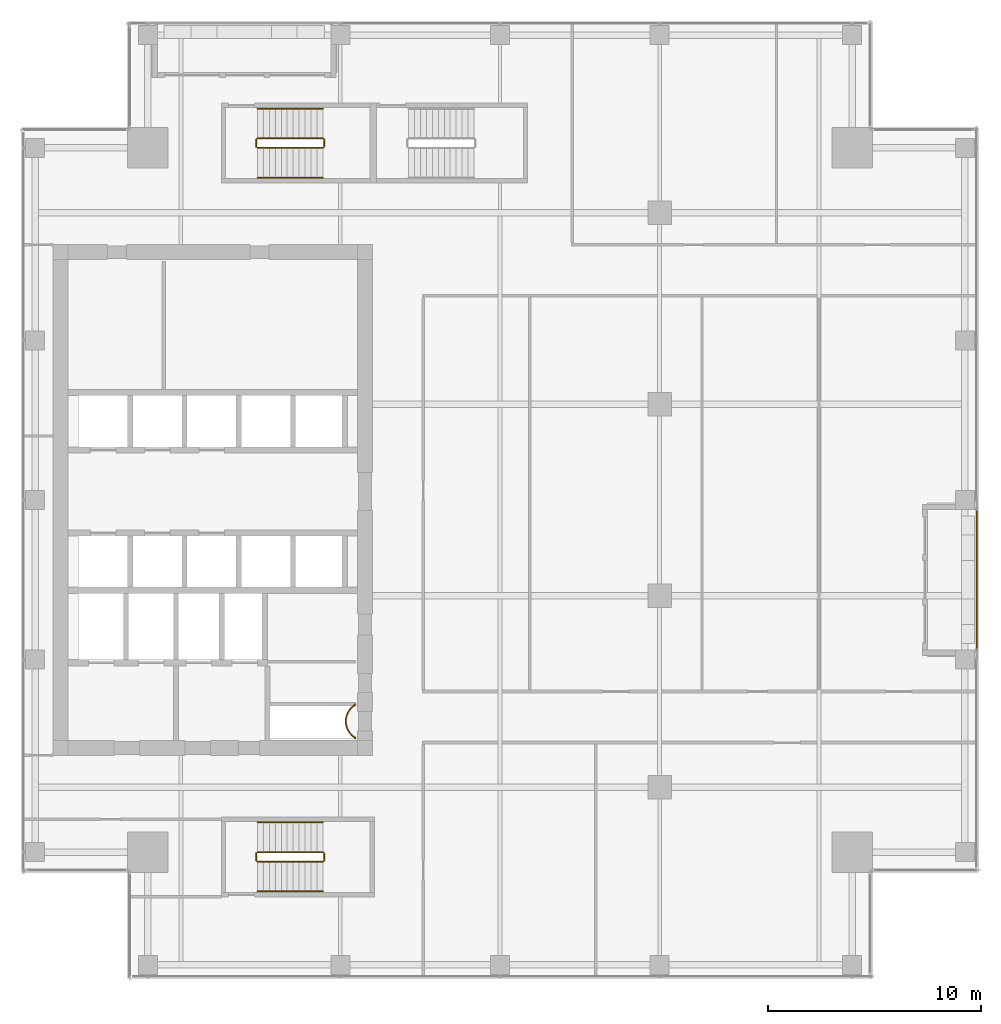
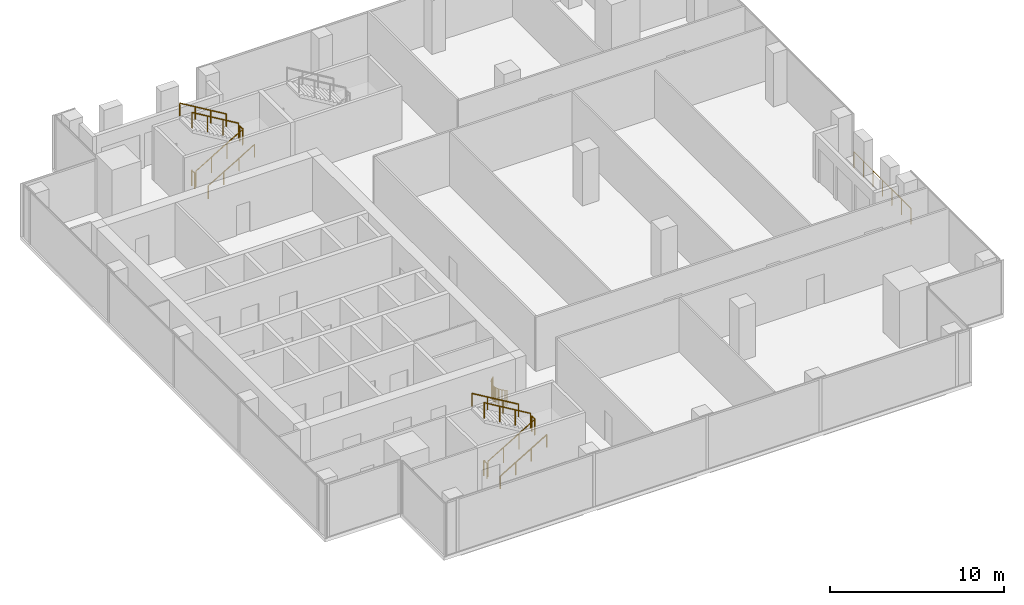
# One storey, part 33 of 35: 14 railings.
"""IFC4 building model written with IfcOpenShell, lengths in metres."""

from ifc_helpers import new_model, si_unit, direction, frame, origin, origin_2d, place, context, subcontext, project, spatial, circle, extrude, source, transform, mapped, material, type_object, element, save


model = new_model("IFC4")

# Units and contexts
model_context = context("Model", 3, precision=1e-05, world=origin(), true_north=direction((0.0, 1.0)))
body_context = subcontext(model_context, "Body", "Model", "MODEL_VIEW")
ifc_project = project(units=[si_unit("LENGTHUNIT", "METRE"), si_unit("AREAUNIT", "SQUARE_METRE"), si_unit("VOLUMEUNIT", "CUBIC_METRE"), si_unit("PLANEANGLEUNIT", "RADIAN"), si_unit("MASSUNIT", "GRAM", prefix="KILO")], contexts=[model_context])

# Site, building, storey
site_placement = place(None, origin())
site = spatial("IfcSite", under=ifc_project, at=site_placement, CompositionType="ELEMENT")
building_placement = place(site_placement, origin())
building = spatial("IfcBuilding", under=site, at=building_placement, Name="Khomas Fold Tower", CompositionType="ELEMENT")
storey_placement = place(building_placement, frame((0.0, 0.0, 262.199951171875)))
storey = spatial("IfcBuildingStorey", under=building, at=storey_placement, Name="L59", CompositionType="ELEMENT", Elevation=262.199951171875)

# Railings
ifc_material_1 = material(Name="Powder-coated steel", Category="steel")
railing_type_1 = type_object("IfcRailingType", Name="Balcony guard", PredefinedType="GUARDRAIL", material=ifc_material_1)
shared_shape_1 = source(origin(), body_context, "Body", "SweptSolid", [
    extrude(circle(Radius=0.02490234375, at=origin_2d()), frame((0.0, 0.0, 1.125), z_axis=(0.0, 1.0, 0.0), x_axis=(-1.0, 0.0, 0.0)), (0.0, 0.0, 1.0), 6.5400390625),
    extrude(circle(Radius=0.02001953125, at=origin_2d()), origin(), (0.0, 0.0, 1.0), 1.099853515625),
    extrude(circle(Radius=0.02001953125, at=origin_2d()), frame((0.0, 1.090087890625, 0.0)), (0.0, 0.0, 1.0), 1.099853515625),
    extrude(circle(Radius=0.02001953125, at=origin_2d()), frame((0.0, 2.179931640625, 0.0)), (0.0, 0.0, 1.0), 1.099853515625),
    extrude(circle(Radius=0.02001953125, at=origin_2d()), frame((0.0, 3.27001953125, 0.0)), (0.0, 0.0, 1.0), 1.099853515625),
    extrude(circle(Radius=0.02001953125, at=origin_2d()), frame((0.0, 4.360107421875, 0.0)), (0.0, 0.0, 1.0), 1.099853515625),
    extrude(circle(Radius=0.02001953125, at=origin_2d()), frame((0.0, 5.449951171875, 0.0)), (0.0, 0.0, 1.0), 1.099853515625),
    extrude(circle(Radius=0.02001953125, at=origin_2d()), frame((0.0, 6.5400390625, 0.0)), (0.0, 0.0, 1.0), 1.099853515625),
])
railing_1_placement = place(storey_placement, frame((49.39990234375, 19.97998046875, -0.044921875)))
element("IfcRailing", 1, at=railing_1_placement, inside=storey, type_object=railing_type_1, Name="Balcony guard BAL-L59-E2", PredefinedType="GUARDRAIL", context=body_context, shape_type="MappedRepresentation", body=[
    mapped(shared_shape_1, transform((0.0, 0.0, 0.0))),
])
ifc_material_2 = material(Name="Steel balustrade", Category="steel")
railing_type_2 = type_object("IfcRailingType", Name="Stair guard", PredefinedType="GUARDRAIL", material=ifc_material_2)
shared_shape_2 = source(origin(), body_context, "Body", "SweptSolid", [
    extrude(circle(Radius=0.02392578125, at=origin_2d()), frame((0.0, 0.0, 1.076171875), z_axis=(0.0, 1.0, 0.0), x_axis=(-1.0, 0.0, 0.0)), (0.0, 0.0, 1.0), 0.349853515625),
    extrude(circle(Radius=0.02099609375, at=origin_2d()), origin(), (0.0, 0.0, 1.0), 1.052001953125),
    extrude(circle(Radius=0.02099609375, at=origin_2d()), frame((0.0, 0.349853515625, 0.0)), (0.0, 0.0, 1.0), 1.052001953125),
])
for number, where, name in (
    (2, (18.72998046875, 43.60009765625, 2.0), "L59 ST1 stair guard 2"),
    (3, (15.550048828125, 43.60009765625, 0.0), "L59 ST1 stair guard 4"),
    (4, (18.72998046875, 10.050048828125, 2.0), "L59 ST2 stair guard 2"),
    (5, (15.550048828125, 10.050048828125, 0.0), "L59 ST2 stair guard 4"),
):
    element("IfcRailing", number, at=place(storey_placement, frame(where)), inside=storey, type_object=railing_type_2, Name=name, PredefinedType="GUARDRAIL", context=body_context, shape_type="MappedRepresentation", body=[
        mapped(shared_shape_2, transform((0.0, 0.0, 0.0))),
    ])
shared_shape_3 = source(origin(), body_context, "Body", "SweptSolid", [
    extrude(circle(Radius=0.02392578125, at=origin_2d()), frame((0.0, 0.0, 1.076171875), z_axis=(0.859290745958, 0.0, 0.51148745235), x_axis=(0.0, 1.0, 0.0)), (0.0, 0.0, 1.0), 3.584228515625),
    extrude(circle(Radius=0.02099609375, at=origin_2d()), origin(), (0.0, 0.0, 1.0), 1.052001953125),
    extrude(circle(Radius=0.02099609375, at=origin_2d()), frame((1.026611328125, 0.0, 0.611083984375)), (0.0, 0.0, 1.0), 1.052001953125),
    extrude(circle(Radius=0.02099609375, at=origin_2d()), frame((2.05322265625, 0.0, 1.22216796875)), (0.0, 0.0, 1.0), 1.052001953125),
    extrude(circle(Radius=0.02099609375, at=origin_2d()), frame((3.079833984375, 0.0, 1.833251953125)), (0.0, 0.0, 1.0), 1.052001953125),
])
for number, where, name in (
    (6, (15.60009765625, 43.550048828125, 0.166748046875), "L59 ST1 stair guard 1"),
    (7, (15.60009765625, 10.0, 0.166748046875), "L59 ST2 stair guard 1"),
):
    element("IfcRailing", number, at=place(storey_placement, frame(where)), inside=storey, type_object=railing_type_2, Name=name, PredefinedType="GUARDRAIL", context=body_context, shape_type="MappedRepresentation", body=[
        mapped(shared_shape_3, transform((0.0, 0.0, 0.0))),
    ])
shared_shape_4 = source(origin(), body_context, "Body", "SweptSolid", [
    extrude(circle(Radius=0.02392578125, at=origin_2d()), frame((0.0, 0.0, 1.076171875), z_axis=(-0.859290745958, 0.0, 0.51148745235), x_axis=(0.0, -1.0, 0.0)), (0.0, 0.0, 1.0), 3.584228515625),
    extrude(circle(Radius=0.02099609375, at=origin_2d()), origin(), (0.0, 0.0, 1.0), 1.052001953125),
    extrude(circle(Radius=0.02099609375, at=origin_2d()), frame((-1.026611328125, 0.0, 0.611083984375)), (0.0, 0.0, 1.0), 1.052001953125),
    extrude(circle(Radius=0.02099609375, at=origin_2d()), frame((-2.05322265625, 0.0, 1.22216796875)), (0.0, 0.0, 1.0), 1.052001953125),
    extrude(circle(Radius=0.02099609375, at=origin_2d()), frame((-3.079833984375, 0.0, 1.833251953125)), (0.0, 0.0, 1.0), 1.052001953125),
])
for number, where, name in (
    (8, (18.679931640625, 44.0, 2.166748046875), "L59 ST1 stair guard 3"),
    (9, (18.679931640625, 10.449951171875, 2.166748046875), "L59 ST2 stair guard 3"),
):
    element("IfcRailing", number, at=place(storey_placement, frame(where)), inside=storey, type_object=railing_type_2, Name=name, PredefinedType="GUARDRAIL", context=body_context, shape_type="MappedRepresentation", body=[
        mapped(shared_shape_4, transform((0.0, 0.0, 0.0))),
    ])
ifc_material_3 = material(Name="Steel handrail", Category="steel")
railing_type_3 = type_object("IfcRailingType", Name="Stair handrail", PredefinedType="HANDRAIL", material=ifc_material_3)
shared_shape_5 = source(origin(), body_context, "Body", "SweptSolid", [
    extrude(circle(Radius=0.02392578125, at=origin_2d()), frame((0.0, 0.0, 0.8759765625), z_axis=(0.859290745958, 0.0, 0.51148745235), x_axis=(0.0, 1.0, 0.0)), (0.0, 0.0, 1.0), 3.584228515625),
    extrude(circle(Radius=0.02099609375, at=origin_2d()), origin(), (0.0, 0.0, 1.0), 0.851806640625),
    extrude(circle(Radius=0.02099609375, at=origin_2d()), frame((1.026611328125, 0.0, 0.611083984375)), (0.0, 0.0, 1.0), 0.851806640625),
    extrude(circle(Radius=0.02099609375, at=origin_2d()), frame((2.05322265625, 0.0, 1.22216796875)), (0.0, 0.0, 1.0), 0.851806640625),
    extrude(circle(Radius=0.02099609375, at=origin_2d()), frame((3.079833984375, 0.0, 1.833251953125)), (0.0, 0.0, 1.0), 0.851806640625),
])
for number, where, name in (
    (10, (15.60009765625, 42.14990234375, 0.166748046875), "L59 ST1 stair handrail 1"),
    (11, (15.60009765625, 8.60009765625, 0.166748046875), "L59 ST2 stair handrail 1"),
):
    element("IfcRailing", number, at=place(storey_placement, frame(where)), inside=storey, type_object=railing_type_3, Name=name, PredefinedType="HANDRAIL", context=body_context, shape_type="MappedRepresentation", body=[
        mapped(shared_shape_5, transform((0.0, 0.0, 0.0))),
    ])
shared_shape_6 = source(origin(), body_context, "Body", "SweptSolid", [
    extrude(circle(Radius=0.02392578125, at=origin_2d()), frame((0.0, 0.0, 0.8759765625), z_axis=(-0.859290745958, 0.0, 0.51148745235), x_axis=(0.0, -1.0, 0.0)), (0.0, 0.0, 1.0), 3.584228515625),
    extrude(circle(Radius=0.02099609375, at=origin_2d()), origin(), (0.0, 0.0, 1.0), 0.851806640625),
    extrude(circle(Radius=0.02099609375, at=origin_2d()), frame((-1.026611328125, 0.0, 0.611083984375)), (0.0, 0.0, 1.0), 0.851806640625),
    extrude(circle(Radius=0.02099609375, at=origin_2d()), frame((-2.05322265625, 0.0, 1.22216796875)), (0.0, 0.0, 1.0), 0.851806640625),
    extrude(circle(Radius=0.02099609375, at=origin_2d()), frame((-3.079833984375, 0.0, 1.833251953125)), (0.0, 0.0, 1.0), 0.851806640625),
])
for number, where, name in (
    (12, (18.679931640625, 45.39990234375, 2.166748046875), "L59 ST1 stair handrail 2"),
    (13, (18.679931640625, 11.85009765625, 2.166748046875), "L59 ST2 stair handrail 2"),
):
    element("IfcRailing", number, at=place(storey_placement, frame(where)), inside=storey, type_object=railing_type_3, Name=name, PredefinedType="HANDRAIL", context=body_context, shape_type="MappedRepresentation", body=[
        mapped(shared_shape_6, transform((0.0, 0.0, 0.0))),
    ])
ifc_material_4 = material(Name="Steel balustrade", Category="steel")
railing_type_4 = type_object("IfcRailingType", Name="Shaft guard", PredefinedType="GUARDRAIL", material=ifc_material_4)
shared_shape_7 = source(origin(), body_context, "Body", "SweptSolid", [
    extrude(circle(Radius=0.02490234375, at=origin_2d()), frame((0.0, 0.0, 1.0751953125), z_axis=(1.0, 0.0, 0.0), x_axis=(0.0, 1.0, 0.0)), (0.0, 0.0, 1.0), 0.02197265625),
    extrude(circle(Radius=0.02490234375, at=origin_2d()), frame((0.02197265625, 0.0, 1.0751953125), z_axis=(0.0, -1.0, 0.0), x_axis=(1.0, 0.0, 0.0)), (0.0, 0.0, 1.0), 0.021484375),
    extrude(circle(Radius=0.02490234375, at=origin_2d()), frame((0.02197265625, -0.021484375, 1.0751953125), z_axis=(-0.857492925713, -0.514495755428, 0.0), x_axis=(0.514495755428, -0.857492925713, 0.0)), (0.0, 0.0, 1.0), 0.058349609375),
    extrude(circle(Radius=0.02490234375, at=origin_2d()), frame((-0.028076171875, -0.051513671875, 1.0751953125), z_axis=(-0.801986734315, -0.597341843489, 0.0), x_axis=(0.597341843489, -0.801986734315, 0.0)), (0.0, 0.0, 1.0), 0.08837890625),
    extrude(circle(Radius=0.02490234375, at=origin_2d()), frame((-0.098876953125, -0.104248046875, 1.0751953125), z_axis=(-0.740814996175, -0.671709119666, 0.0), x_axis=(0.671709119666, -0.740814996175, 0.0)), (0.0, 0.0, 1.0), 0.08837890625),
    extrude(circle(Radius=0.02490234375, at=origin_2d()), frame((-0.164306640625, -0.16357421875, 1.0751953125), z_axis=(-0.671709119666, -0.740814996175, 0.0), x_axis=(0.740814996175, -0.671709119666, 0.0)), (0.0, 0.0, 1.0), 0.08837890625),
    extrude(circle(Radius=0.02490234375, at=origin_2d()), frame((-0.2236328125, -0.22900390625, 1.0751953125), z_axis=(-0.597341843489, -0.801986734315, 0.0), x_axis=(0.801986734315, -0.597341843489, 0.0)), (0.0, 0.0, 1.0), 0.08837890625),
    extrude(circle(Radius=0.02490234375, at=origin_2d()), frame((-0.2763671875, -0.2998046875, 1.0751953125), z_axis=(-0.514495755428, -0.857492925713, 0.0), x_axis=(0.857492925713, -0.514495755428, 0.0)), (0.0, 0.0, 1.0), 0.08837890625),
    extrude(circle(Radius=0.02490234375, at=origin_2d()), frame((-0.32177734375, -0.37548828125, 1.0751953125), z_axis=(-0.424999439989, -0.905193612444, 0.0), x_axis=(0.905193612444, -0.424999439989, 0.0)), (0.0, 0.0, 1.0), 0.08837890625),
    extrude(circle(Radius=0.02490234375, at=origin_2d()), frame((-0.359375, -0.45556640625, 1.0751953125), z_axis=(-0.337738989679, -0.941239807302, 0.0), x_axis=(0.941239807302, -0.337738989679, 0.0)), (0.0, 0.0, 1.0), 0.088134765625),
    extrude(circle(Radius=0.02490234375, at=origin_2d()), frame((-0.38916015625, -0.53857421875, 1.0751953125), z_axis=(-0.243185799972, -0.969979724887, 0.0), x_axis=(0.969979724887, -0.243185799972, 0.0)), (0.0, 0.0, 1.0), 0.08837890625),
    extrude(circle(Radius=0.02490234375, at=origin_2d()), frame((-0.41064453125, -0.624267578125, 1.0751953125), z_axis=(-0.146448518259, -0.989218293148, 0.0), x_axis=(0.989218293148, -0.146448518259, 0.0)), (0.0, 0.0, 1.0), 0.08837890625),
    extrude(circle(Radius=0.02490234375, at=origin_2d()), frame((-0.423583984375, -0.711669921875, 1.0751953125), z_axis=(-0.049799629132, -0.998759228712, 0.0), x_axis=(0.998759228712, -0.049799629132, 0.0)), (0.0, 0.0, 1.0), 0.088134765625),
    extrude(circle(Radius=0.02490234375, at=origin_2d()), frame((-0.427978515625, -0.7998046875, 1.0751953125), z_axis=(0.049662400856, -0.998766061669, 0.0), x_axis=(0.998766061669, 0.049662400856, 0.0)), (0.0, 0.0, 1.0), 0.08837890625),
    extrude(circle(Radius=0.02490234375, at=origin_2d()), frame((-0.423583984375, -0.88818359375, 1.0751953125), z_axis=(0.146448518259, -0.989218293148, 0.0), x_axis=(0.989218293148, 0.146448518259, 0.0)), (0.0, 0.0, 1.0), 0.08837890625),
    extrude(circle(Radius=0.02490234375, at=origin_2d()), frame((-0.41064453125, -0.9755859375, 1.0751953125), z_axis=(0.243185799972, -0.969979724887, 0.0), x_axis=(0.969979724887, 0.243185799972, 0.0)), (0.0, 0.0, 1.0), 0.08837890625),
    extrude(circle(Radius=0.02490234375, at=origin_2d()), frame((-0.38916015625, -1.061279296875, 1.0751953125), z_axis=(0.337738989679, -0.941239807302, 0.0), x_axis=(0.941239807302, 0.337738989679, 0.0)), (0.0, 0.0, 1.0), 0.088134765625),
    extrude(circle(Radius=0.02490234375, at=origin_2d()), frame((-0.359375, -1.144287109375, 1.0751953125), z_axis=(0.426063493689, -0.904693262573, 0.0), x_axis=(0.904693262573, 0.426063493689, 0.0)), (0.0, 0.0, 1.0), 0.088134765625),
    extrude(circle(Radius=0.02490234375, at=origin_2d()), frame((-0.32177734375, -1.22412109375, 1.0751953125), z_axis=(0.514495755428, -0.857492925713, 0.0), x_axis=(0.857492925713, 0.514495755428, 0.0)), (0.0, 0.0, 1.0), 0.08837890625),
    extrude(circle(Radius=0.02490234375, at=origin_2d()), frame((-0.2763671875, -1.2998046875, 1.0751953125), z_axis=(0.596019138224, -0.802970227885, 0.0), x_axis=(0.802970227885, 0.596019138224, 0.0)), (0.0, 0.0, 1.0), 0.08837890625),
    extrude(circle(Radius=0.02490234375, at=origin_2d()), frame((-0.2236328125, -1.370849609375, 1.0751953125), z_axis=(0.671709119666, -0.740814996175, 0.0), x_axis=(0.740814996175, 0.671709119666, 0.0)), (0.0, 0.0, 1.0), 0.08837890625),
    extrude(circle(Radius=0.02490234375, at=origin_2d()), frame((-0.164306640625, -1.436279296875, 1.0751953125), z_axis=(0.740814996175, -0.671709119666, 0.0), x_axis=(0.671709119666, 0.740814996175, 0.0)), (0.0, 0.0, 1.0), 0.08837890625),
    extrude(circle(Radius=0.02490234375, at=origin_2d()), frame((-0.098876953125, -1.49560546875, 1.0751953125), z_axis=(0.803311771616, -0.595558727233, 0.0), x_axis=(0.595558727233, 0.803311771616, 0.0)), (0.0, 0.0, 1.0), 0.088134765625),
    extrude(circle(Radius=0.02490234375, at=origin_2d()), frame((-0.028076171875, -1.548095703125, 1.0751953125), z_axis=(0.857492925713, -0.514495755428, 0.0), x_axis=(0.514495755428, 0.857492925713, 0.0)), (0.0, 0.0, 1.0), 0.058349609375),
    extrude(circle(Radius=0.02490234375, at=origin_2d()), frame((0.02197265625, -1.578125, 1.0751953125), z_axis=(0.0, -1.0, 0.0), x_axis=(1.0, 0.0, 0.0)), (0.0, 0.0, 1.0), 0.021728515625),
    extrude(circle(Radius=0.02490234375, at=origin_2d()), frame((0.02197265625, -1.599853515625, 1.0751953125), z_axis=(-1.0, 0.0, 0.0), x_axis=(0.0, -1.0, 0.0)), (0.0, 0.0, 1.0), 0.02197265625),
    extrude(circle(Radius=0.02001953125, at=origin_2d()), origin(), (0.0, 0.0, 1.0), 1.050048828125),
    extrude(circle(Radius=0.02001953125, at=origin_2d()), frame((0.02197265625, 0.0, 0.0)), (0.0, 0.0, 1.0), 1.050048828125),
    extrude(circle(Radius=0.02001953125, at=origin_2d()), frame((0.02197265625, -0.021484375, 0.0)), (0.0, 0.0, 1.0), 1.050048828125),
    extrude(circle(Radius=0.02001953125, at=origin_2d()), frame((-0.028076171875, -0.051513671875, 0.0)), (0.0, 0.0, 1.0), 1.050048828125),
    extrude(circle(Radius=0.02001953125, at=origin_2d()), frame((-0.098876953125, -0.104248046875, 0.0)), (0.0, 0.0, 1.0), 1.050048828125),
    extrude(circle(Radius=0.02001953125, at=origin_2d()), frame((-0.164306640625, -0.16357421875, 0.0)), (0.0, 0.0, 1.0), 1.050048828125),
    extrude(circle(Radius=0.02001953125, at=origin_2d()), frame((-0.2236328125, -0.22900390625, 0.0)), (0.0, 0.0, 1.0), 1.050048828125),
    extrude(circle(Radius=0.02001953125, at=origin_2d()), frame((-0.2763671875, -0.2998046875, 0.0)), (0.0, 0.0, 1.0), 1.050048828125),
    extrude(circle(Radius=0.02001953125, at=origin_2d()), frame((-0.32177734375, -0.37548828125, 0.0)), (0.0, 0.0, 1.0), 1.050048828125),
    extrude(circle(Radius=0.02001953125, at=origin_2d()), frame((-0.359375, -0.45556640625, 0.0)), (0.0, 0.0, 1.0), 1.050048828125),
    extrude(circle(Radius=0.02001953125, at=origin_2d()), frame((-0.38916015625, -0.53857421875, 0.0)), (0.0, 0.0, 1.0), 1.050048828125),
    extrude(circle(Radius=0.02001953125, at=origin_2d()), frame((-0.41064453125, -0.624267578125, 0.0)), (0.0, 0.0, 1.0), 1.050048828125),
    extrude(circle(Radius=0.02001953125, at=origin_2d()), frame((-0.423583984375, -0.711669921875, 0.0)), (0.0, 0.0, 1.0), 1.050048828125),
    extrude(circle(Radius=0.02001953125, at=origin_2d()), frame((-0.427978515625, -0.7998046875, 0.0)), (0.0, 0.0, 1.0), 1.050048828125),
    extrude(circle(Radius=0.02001953125, at=origin_2d()), frame((-0.423583984375, -0.88818359375, 0.0)), (0.0, 0.0, 1.0), 1.050048828125),
    extrude(circle(Radius=0.02001953125, at=origin_2d()), frame((-0.41064453125, -0.9755859375, 0.0)), (0.0, 0.0, 1.0), 1.050048828125),
    extrude(circle(Radius=0.02001953125, at=origin_2d()), frame((-0.38916015625, -1.061279296875, 0.0)), (0.0, 0.0, 1.0), 1.050048828125),
    extrude(circle(Radius=0.02001953125, at=origin_2d()), frame((-0.359375, -1.144287109375, 0.0)), (0.0, 0.0, 1.0), 1.050048828125),
    extrude(circle(Radius=0.02001953125, at=origin_2d()), frame((-0.32177734375, -1.22412109375, 0.0)), (0.0, 0.0, 1.0), 1.050048828125),
    extrude(circle(Radius=0.02001953125, at=origin_2d()), frame((-0.2763671875, -1.2998046875, 0.0)), (0.0, 0.0, 1.0), 1.050048828125),
    extrude(circle(Radius=0.02001953125, at=origin_2d()), frame((-0.2236328125, -1.370849609375, 0.0)), (0.0, 0.0, 1.0), 1.050048828125),
    extrude(circle(Radius=0.02001953125, at=origin_2d()), frame((-0.164306640625, -1.436279296875, 0.0)), (0.0, 0.0, 1.0), 1.050048828125),
    extrude(circle(Radius=0.02001953125, at=origin_2d()), frame((-0.098876953125, -1.49560546875, 0.0)), (0.0, 0.0, 1.0), 1.050048828125),
    extrude(circle(Radius=0.02001953125, at=origin_2d()), frame((-0.028076171875, -1.548095703125, 0.0)), (0.0, 0.0, 1.0), 1.050048828125),
    extrude(circle(Radius=0.02001953125, at=origin_2d()), frame((0.02197265625, -1.578125, 0.0)), (0.0, 0.0, 1.0), 1.050048828125),
    extrude(circle(Radius=0.02001953125, at=origin_2d()), frame((0.02197265625, -1.599853515625, 0.0)), (0.0, 0.0, 1.0), 1.050048828125),
    extrude(circle(Radius=0.02001953125, at=origin_2d()), frame((0.0, -1.599853515625, 0.0)), (0.0, 0.0, 1.0), 1.050048828125),
])
railing_2_placement = place(storey_placement, frame((20.177978515625, 17.39990234375, 0.0)))
element("IfcRailing", 14, at=railing_2_placement, inside=storey, type_object=railing_type_4, Name="Shaft guard L59 1", PredefinedType="GUARDRAIL", context=body_context, shape_type="MappedRepresentation", body=[
    mapped(shared_shape_7, transform((0.0, 0.0, 0.0))),
])

save(model, "model.ifc")
